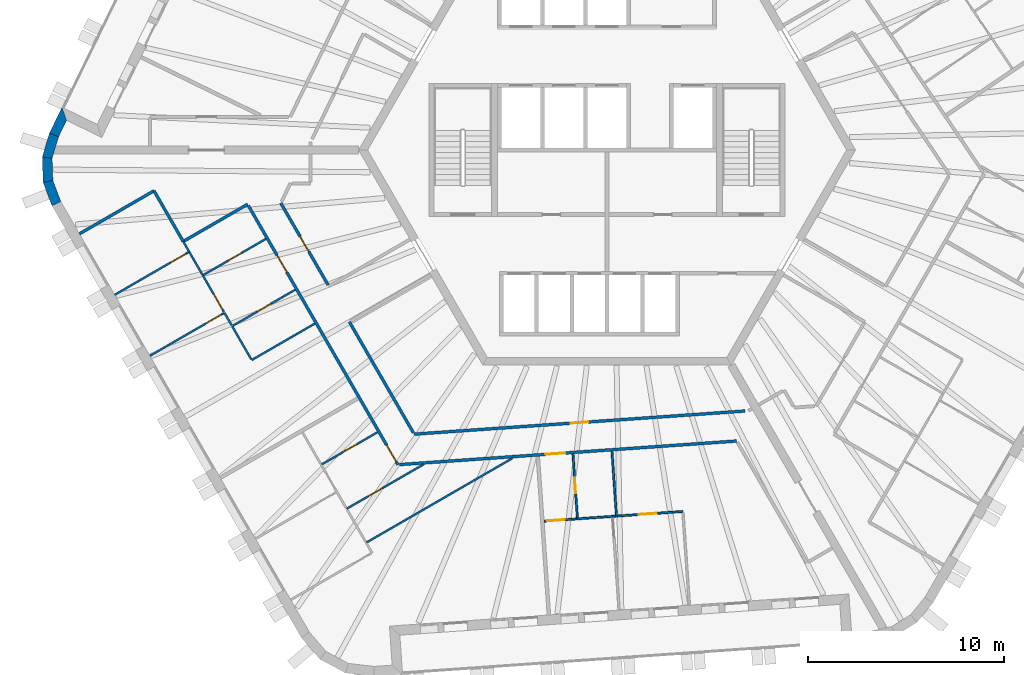
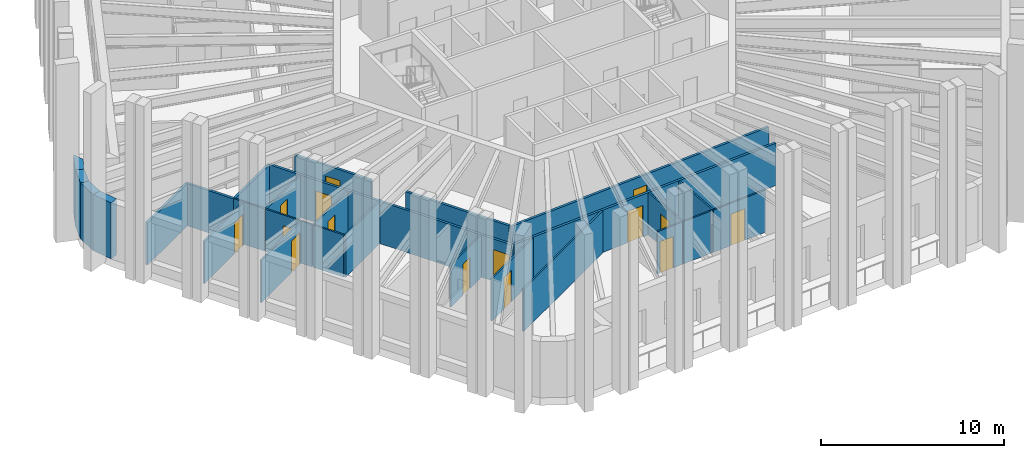
# One storey, part 4 of 13: 31 walls, 15 doors, 15 openings.
"""IFC4 building model written with IfcOpenShell, lengths in metres."""

from ifc_helpers import new_model, si_unit, direction, frame, frame_2d, origin, place, context, subcontext, project, spatial, polyline, rectangle, outline, extrude, material, layer, layer_set, type_object, element, fill, save


model = new_model("IFC4")

# Units and contexts
model_context = context("Model", 3, precision=1e-05, world=origin(), true_north=direction((0.0, 1.0)))
body_context = subcontext(model_context, "Body", "Model", "MODEL_VIEW")
ifc_project = project(units=[si_unit("LENGTHUNIT", "METRE"), si_unit("AREAUNIT", "SQUARE_METRE"), si_unit("VOLUMEUNIT", "CUBIC_METRE"), si_unit("PLANEANGLEUNIT", "RADIAN"), si_unit("MASSUNIT", "GRAM", prefix="KILO")], contexts=[model_context])

# Site, building, storey
site_placement = place(None, origin())
site = spatial("IfcSite", under=ifc_project, at=site_placement, CompositionType="ELEMENT")
building_placement = place(site_placement, origin())
building = spatial("IfcBuilding", under=site, at=building_placement, Name="Tarnside Tower", CompositionType="ELEMENT")
storey_placement = place(building_placement, frame((0.0, 0.0, 256.199951171875)))
storey = spatial("IfcBuildingStorey", under=building, at=storey_placement, Name="L61", CompositionType="ELEMENT", Elevation=256.199951171875)

# Walls
ifc_material_1 = material(Name="Gypsum board partition on steel studs", Category="steel")
ifc_layer_1 = layer(ifc_material_1, 0.10009765625)
ifc_layer_set_1 = layer_set([ifc_layer_1], Name="Bathroom wall 100")
wall_type_1 = type_object("IfcWallType", Name="Bathroom wall 100", PredefinedType="PARTITIONING", material=ifc_layer_set_1)
wall_1_placement = place(storey_placement, frame((-14.940185546875, -8.872802734375, 0.0), z_axis=(0.0, 0.0, 1.0), x_axis=(-0.866056803351, -0.499945610411, 0.0)))
element("IfcWall", 1, at=wall_1_placement, inside=storey, type_object=wall_type_1, Name="Bathroom wall 20109", PredefinedType="PARTITIONING", context=body_context, shape_type="SweptSolid", body=[
    extrude(rectangle(XDim=3.72509765625, YDim=0.10009765625, at=frame_2d((1.862548828125, 0.0))), origin(), (0.0, 0.0, 1.0), 2.823486328125),
])
wall_2_placement = place(storey_placement, frame((-18.191162109375, -10.69189453125, 0.0), z_axis=(0.0, 0.0, 1.0), x_axis=(-0.500043961785, 0.866000020948, 0.0)))
element("IfcWall", 2, at=wall_2_placement, inside=storey, type_object=wall_type_1, Name="Bathroom wall 20110", PredefinedType="PARTITIONING", context=body_context, shape_type="SweptSolid", body=[
    extrude(rectangle(XDim=1.949951171875, YDim=0.10009765625, at=frame_2d((0.97509765625, 0.0))), origin(), (0.0, 0.0, 1.0), 2.823486328125),
])

# Wall, opening, door
wall_3_placement = place(storey_placement, frame((-17.440185546875, -4.54248046875, 0.0), z_axis=(0.0, 0.0, 1.0), x_axis=(-0.866028424924, -0.499994767197, 0.0)))
wall_3 = element("IfcWall", 3, at=wall_3_placement, inside=storey, type_object=wall_type_1, Name="Bathroom wall 20113", PredefinedType="PARTITIONING", context=body_context, shape_type="SweptSolid", body=[
    extrude(rectangle(XDim=3.72509765625, YDim=0.10009765625, at=frame_2d((1.862548828125, 0.0))), origin(), (0.0, 0.0, 1.0), 2.823486328125),
])
opening_1_placement = place(wall_3_placement, frame((1.425048828125, 0.0, 0.0)))
opening_1 = element("IfcOpeningElement", 4, at=opening_1_placement, cuts=wall_3, Name="Opening D-B1", PredefinedType="OPENING", context=body_context, shape_type="SweptSolid", body=[
    extrude(rectangle(XDim=0.800048828125, YDim=2.10009765625, at=frame_2d((0.39990234375, 1.050048828125))), frame((0.0, 0.06005859375, 0.0), z_axis=(0.0, -1.0, 0.0), x_axis=(1.0, 0.0, 0.0)), (0.0, 0.0, 1.0), 0.1201171875),
])
ifc_material_2 = material(Name="Timber door leaf", Category="wood")
door_type_1 = type_object("IfcDoorType", Name="Bathroom door 800", OperationType="NOTDEFINED", PredefinedType="DOOR", material=ifc_material_2)
door_1_placement = place(opening_1_placement, origin())
door_1 = element("IfcDoor", 5, at=door_1_placement, inside=storey, type_object=door_type_1, Name="Bathroom door 20022", OperationType="SINGLE_SWING_RIGHT", OverallHeight=2.10009765625, OverallWidth=0.800048828125, PredefinedType="DOOR", context=body_context, shape_type="SweptSolid", body=[
    extrude(rectangle(XDim=0.800048828125, YDim=2.10009765625, at=frame_2d((0.39990234375, 1.050048828125))), frame((0.0, 0.02490234375, 0.0), z_axis=(0.0, -1.0, 0.0), x_axis=(1.0, 0.0, 0.0)), (0.0, 0.0, 1.0), 0.050048828125),
])
fill(opening_1, door_1)

wall_4_placement = place(storey_placement, frame((-19.122802734375, -8.978271484375, 0.0), z_axis=(0.0, 0.0, 1.0), x_axis=(0.866006363297, 0.500032977642, 0.0)))
wall_4 = element("IfcWall", 6, at=wall_4_placement, inside=storey, type_object=wall_type_1, Name="Bathroom wall 20115", PredefinedType="PARTITIONING", context=body_context, shape_type="SweptSolid", body=[
    extrude(rectangle(XDim=3.675048828125, YDim=0.10009765625, at=frame_2d((1.83740234375, 0.0))), origin(), (0.0, 0.0, 1.0), 2.823486328125),
])
opening_2_placement = place(wall_4_placement, frame((1.449951171875, 0.0, 0.0)))
opening_2 = element("IfcOpeningElement", 7, at=opening_2_placement, cuts=wall_4, Name="Opening D-B1", PredefinedType="OPENING", context=body_context, shape_type="SweptSolid", body=[
    extrude(rectangle(XDim=0.800048828125, YDim=2.10009765625, at=frame_2d((0.39990234375, 1.050048828125))), frame((0.0, 0.06005859375, 0.0), z_axis=(0.0, -1.0, 0.0), x_axis=(1.0, 0.0, 0.0)), (0.0, 0.0, 1.0), 0.1201171875),
])
door_2_placement = place(opening_2_placement, origin())
door_2 = element("IfcDoor", 8, at=door_2_placement, inside=storey, type_object=door_type_1, Name="Bathroom door 20031", OperationType="SINGLE_SWING_LEFT", OverallHeight=2.10009765625, OverallWidth=0.800048828125, PredefinedType="DOOR", context=body_context, shape_type="SweptSolid", body=[
    extrude(rectangle(XDim=0.800048828125, YDim=2.10009765625, at=frame_2d((0.39990234375, 1.050048828125))), frame((0.0, 0.02490234375, 0.0), z_axis=(0.0, -1.0, 0.0), x_axis=(1.0, 0.0, 0.0)), (0.0, 0.0, 1.0), 0.050048828125),
])
fill(opening_2, door_2)

# Walls
wall_5_placement = place(storey_placement, frame((-21.667236328125, -4.67138671875, 0.0), z_axis=(0.0, 0.0, 1.0), x_axis=(0.499952348839, -0.866052913447, 0.0)))
element("IfcWall", 9, at=wall_5_placement, inside=storey, type_object=wall_type_1, Name="Bathroom wall 20116", PredefinedType="PARTITIONING", context=body_context, shape_type="SweptSolid", body=[
    extrude(rectangle(XDim=0.61279296875, YDim=0.10009765625, at=frame_2d((0.306396484375, 0.0))), origin(), (0.0, 0.0, 1.0), 2.823486328125),
])
wall_6_placement = place(storey_placement, frame((-21.36083984375, -5.2021484375, 0.0), z_axis=(0.0, 0.0, 1.0), x_axis=(0.500074377092, -0.865982457891, 0.0)))
element("IfcWall", 10, at=wall_6_placement, inside=storey, type_object=wall_type_1, Name="Bathroom wall 20117", PredefinedType="PARTITIONING", context=body_context, shape_type="SweptSolid", body=[
    extrude(rectangle(XDim=1.341064453125, YDim=0.10009765625, at=frame_2d((0.67041015625, 0.0))), origin(), (0.0, 0.0, 1.0), 2.823486328125),
])
wall_7_placement = place(storey_placement, frame((-4.830810546875, -15.750244140625, 0.0), z_axis=(0.0, 0.0, 1.0), x_axis=(-0.866012441049, -0.500022451445, 0.0)))
element("IfcWall", 11, at=wall_7_placement, inside=storey, type_object=wall_type_1, Name="Bathroom wall 20121", PredefinedType="PARTITIONING", context=body_context, shape_type="SweptSolid", body=[
    extrude(rectangle(XDim=8.64111328125, YDim=0.10009765625, at=frame_2d((4.320556640625, 0.0))), origin(), (0.0, 0.0, 1.0), 2.823486328125),
])

# Wall, opening, door
wall_8_placement = place(storey_placement, frame((-11.73486328125, -14.4248046875, 0.0), z_axis=(0.0, 0.0, 1.0), x_axis=(-0.866033959199, -0.499985181294, 0.0)))
wall_8 = element("IfcWall", 12, at=wall_8_placement, inside=storey, type_object=wall_type_1, Name="Bathroom wall 20124", PredefinedType="PARTITIONING", context=body_context, shape_type="SweptSolid", body=[
    extrude(rectangle(XDim=3.32470703125, YDim=0.10009765625, at=frame_2d((1.662353515625, 0.0))), origin(), (0.0, 0.0, 1.0), 2.823486328125),
])
opening_3_placement = place(wall_8_placement, frame((1.22509765625, 0.0, 0.0)))
opening_3 = element("IfcOpeningElement", 13, at=opening_3_placement, cuts=wall_8, Name="Opening D-B1", PredefinedType="OPENING", context=body_context, shape_type="SweptSolid", body=[
    extrude(rectangle(XDim=0.800048828125, YDim=2.10009765625, at=frame_2d((0.39990234375, 1.050048828125))), frame((0.0, 0.06005859375, 0.0), z_axis=(0.0, -1.0, 0.0), x_axis=(1.0, 0.0, 0.0)), (0.0, 0.0, 1.0), 0.1201171875),
])
door_3_placement = place(opening_3_placement, origin())
door_3 = element("IfcDoor", 14, at=door_3_placement, inside=storey, type_object=door_type_1, Name="Bathroom door 20033", OperationType="SINGLE_SWING_RIGHT", OverallHeight=2.10009765625, OverallWidth=0.800048828125, PredefinedType="DOOR", context=body_context, shape_type="SweptSolid", body=[
    extrude(rectangle(XDim=0.800048828125, YDim=2.10009765625, at=frame_2d((0.39990234375, 1.050048828125))), frame((0.0, 0.02490234375, 0.0), z_axis=(0.0, -1.0, 0.0), x_axis=(1.0, 0.0, 0.0)), (0.0, 0.0, 1.0), 0.050048828125),
])
fill(opening_3, door_3)

wall_9_placement = place(storey_placement, frame((-13.314208984375, -18.3388671875, 0.0), z_axis=(0.0, 0.0, 1.0), x_axis=(0.866020827114, 0.500007926942, 0.0)))
wall_9 = element("IfcWall", 15, at=wall_9_placement, inside=storey, type_object=wall_type_1, Name="Bathroom wall 20127", PredefinedType="PARTITIONING", context=body_context, shape_type="SweptSolid", body=[
    extrude(rectangle(XDim=4.54052734375, YDim=0.10009765625, at=frame_2d((2.270263671875, 0.0))), origin(), (0.0, 0.0, 1.0), 2.823486328125),
])
opening_4_placement = place(wall_9_placement, frame((1.300048828125, 0.0, 0.0)))
opening_4 = element("IfcOpeningElement", 16, at=opening_4_placement, cuts=wall_9, Name="Opening D-B1", PredefinedType="OPENING", context=body_context, shape_type="SweptSolid", body=[
    extrude(rectangle(XDim=0.800048828125, YDim=2.10009765625, at=frame_2d((0.39990234375, 1.050048828125))), frame((0.0, 0.06005859375, 0.0), z_axis=(0.0, -1.0, 0.0), x_axis=(1.0, 0.0, 0.0)), (0.0, 0.0, 1.0), 0.1201171875),
])
door_4_placement = place(opening_4_placement, origin())
door_4 = element("IfcDoor", 17, at=door_4_placement, inside=storey, type_object=door_type_1, Name="Bathroom door 20041", OperationType="SINGLE_SWING_RIGHT", OverallHeight=2.10009765625, OverallWidth=0.800048828125, PredefinedType="DOOR", context=body_context, shape_type="SweptSolid", body=[
    extrude(rectangle(XDim=0.800048828125, YDim=2.10009765625, at=frame_2d((0.39990234375, 1.050048828125))), frame((0.0, 0.02490234375, 0.0), z_axis=(0.0, -1.0, 0.0), x_axis=(1.0, 0.0, 0.0)), (0.0, 0.0, 1.0), 0.050048828125),
])
fill(opening_4, door_4)

# Wall
wall_10_placement = place(storey_placement, frame((0.249755859375, -15.39501953125, 0.0), z_axis=(0.0, 0.0, 1.0), x_axis=(0.069754598287, -0.997564181403, 0.0)))
element("IfcWall", 18, at=wall_10_placement, inside=storey, type_object=wall_type_1, Name="Bathroom wall 20131", PredefinedType="PARTITIONING", context=body_context, shape_type="SweptSolid", body=[
    extrude(rectangle(XDim=3.324951171875, YDim=0.10009765625, at=frame_2d((1.66259765625, 0.0))), origin(), (0.0, 0.0, 1.0), 2.823486328125),
])

# Wall, opening, door
wall_11_placement = place(storey_placement, frame((-1.513427734375, -18.8515625, 0.0), z_axis=(0.0, 0.0, 1.0), x_axis=(-0.069754598287, 0.997564181403, 0.0)))
wall_11 = element("IfcWall", 19, at=wall_11_placement, inside=storey, type_object=wall_type_1, Name="Bathroom wall 20134", PredefinedType="PARTITIONING", context=body_context, shape_type="SweptSolid", body=[
    extrude(rectangle(XDim=3.324951171875, YDim=0.10009765625, at=frame_2d((1.66259765625, 0.0))), origin(), (0.0, 0.0, 1.0), 2.823486328125),
])
opening_5_placement = place(wall_11_placement, frame((1.300048828125, 0.0, 0.0)))
opening_5 = element("IfcOpeningElement", 20, at=opening_5_placement, cuts=wall_11, Name="Opening D-B1", PredefinedType="OPENING", context=body_context, shape_type="SweptSolid", body=[
    extrude(rectangle(XDim=0.800048828125, YDim=2.10009765625, at=frame_2d((0.39990234375, 1.050048828125))), frame((0.0, 0.06005859375, 0.0), z_axis=(0.0, -1.0, 0.0), x_axis=(1.0, 0.0, 0.0)), (0.0, 0.0, 1.0), 0.1201171875),
])
door_5_placement = place(opening_5_placement, origin())
door_5 = element("IfcDoor", 21, at=door_5_placement, inside=storey, type_object=door_type_1, Name="Bathroom door 20043", OperationType="SINGLE_SWING_LEFT", OverallHeight=2.10009765625, OverallWidth=0.800048828125, PredefinedType="DOOR", context=body_context, shape_type="SweptSolid", body=[
    extrude(rectangle(XDim=0.800048828125, YDim=2.10009765625, at=frame_2d((0.39990234375, 1.050048828125))), frame((0.0, 0.02490234375, 0.0), z_axis=(0.0, -1.0, 0.0), x_axis=(1.0, 0.0, 0.0)), (0.0, 0.0, 1.0), 0.050048828125),
])
fill(opening_5, door_5)

# Walls
wall_12_placement = place(storey_placement, frame((-1.515380859375, -18.8515625, 0.0), z_axis=(0.0, 0.0, 1.0), x_axis=(0.997562835018, 0.069773850337, 0.0)))
element("IfcWall", 22, at=wall_12_placement, inside=storey, type_object=wall_type_1, Name="Bathroom wall 20136", PredefinedType="PARTITIONING", context=body_context, shape_type="SweptSolid", body=[
    extrude(rectangle(XDim=1.802001953125, YDim=0.10009765625, at=frame_2d((0.90087890625, 0.0))), origin(), (0.0, 0.0, 1.0), 2.823486328125),
])
wall_13_placement = place(storey_placement, frame((0.2822265625, -18.725830078125, 0.0), z_axis=(0.0, 0.0, 1.0), x_axis=(0.997611278984, 0.069077753617, 0.0)))
element("IfcWall", 23, at=wall_13_placement, inside=storey, type_object=wall_type_1, Name="Bathroom wall 20137", PredefinedType="PARTITIONING", context=body_context, shape_type="SweptSolid", body=[
    extrude(rectangle(XDim=0.15185546875, YDim=0.10009765625, at=frame_2d((0.075927734375, 0.0))), origin(), (0.0, 0.0, 1.0), 2.823486328125),
])

# Wall, openings, doors
ifc_layer_2 = layer(ifc_material_1, 0.14990234375)
ifc_layer_set_2 = layer_set([ifc_layer_2], Name="Corridor wall 150 EI 60")
wall_type_2 = type_object("IfcWallType", Name="Corridor wall 150 EI 60", PredefinedType="PARTITIONING", material=ifc_layer_set_2)
wall_14_placement = place(storey_placement, frame((-18.337890625, -2.837890625, 0.0), z_axis=(0.0, 0.0, 1.0), x_axis=(0.499999693481, -0.866025580753, 0.0)))
wall_14 = element("IfcWall", 24, at=wall_14_placement, inside=storey, type_object=wall_type_2, Name="Corridor wall 20026", PredefinedType="PARTITIONING", context=body_context, shape_type="SweptSolid", body=[
    extrude(rectangle(XDim=15.29638671875, YDim=0.14990234375, at=frame_2d((7.648193359375, 0.0))), origin(), (0.0, 0.0, 1.0), 2.823486328125),
])
opening_6_placement = place(wall_14_placement, frame((2.925048828125, 0.0, 0.0)))
opening_6 = element("IfcOpeningElement", 25, at=opening_6_placement, cuts=wall_14, Name="Opening D-E1", PredefinedType="OPENING", context=body_context, shape_type="SweptSolid", body=[
    extrude(rectangle(XDim=1.0, YDim=2.10009765625, at=frame_2d((0.5, 1.050048828125))), frame((0.0, 0.0849609375, 0.0), z_axis=(0.0, -1.0, 0.0), x_axis=(1.0, 0.0, 0.0)), (0.0, 0.0, 1.0), 0.169921875),
])
opening_7_placement = place(wall_14_placement, frame((14.135986328125, 0.0, 0.0)))
opening_7 = element("IfcOpeningElement", 26, at=opening_7_placement, cuts=wall_14, Name="Opening D-E1", PredefinedType="OPENING", context=body_context, shape_type="SweptSolid", body=[
    extrude(rectangle(XDim=1.0, YDim=2.10009765625, at=frame_2d((0.5, 1.050048828125))), frame((0.0, 0.0849609375, 0.0), z_axis=(0.0, -1.0, 0.0), x_axis=(1.0, 0.0, 0.0)), (0.0, 0.0, 1.0), 0.169921875),
])
door_type_2 = type_object("IfcDoorType", Name="Unit entrance door 1000 FD30S", OperationType="NOTDEFINED", PredefinedType="DOOR", material=ifc_material_2)
door_6_placement = place(opening_6_placement, origin())
door_6 = element("IfcDoor", 27, at=door_6_placement, inside=storey, type_object=door_type_2, Name="Unit door 20021", OperationType="SINGLE_SWING_RIGHT", OverallHeight=2.10009765625, OverallWidth=1.0, PredefinedType="DOOR", context=body_context, shape_type="SweptSolid", body=[
    extrude(rectangle(XDim=1.0, YDim=2.10009765625, at=frame_2d((0.5, 1.050048828125))), frame((0.0, 0.02490234375, 0.0), z_axis=(0.0, -1.0, 0.0), x_axis=(1.0, 0.0, 0.0)), (0.0, 0.0, 1.0), 0.050048828125),
])
fill(opening_6, door_6)
door_7_placement = place(opening_7_placement, origin())
door_7 = element("IfcDoor", 28, at=door_7_placement, inside=storey, type_object=door_type_2, Name="Unit door 20032", OperationType="SINGLE_SWING_LEFT", OverallHeight=2.10009765625, OverallWidth=1.0, PredefinedType="DOOR", context=body_context, shape_type="SweptSolid", body=[
    extrude(rectangle(XDim=1.0, YDim=2.10009765625, at=frame_2d((0.5, 1.050048828125))), frame((0.0, 0.02490234375, 0.0), z_axis=(0.0, -1.0, 0.0), x_axis=(1.0, 0.0, 0.0)), (0.0, 0.0, 1.0), 0.050048828125),
])
fill(opening_7, door_7)

# Walls
wall_15_placement = place(storey_placement, frame((-21.666259765625, -4.673095703125, 0.0), z_axis=(0.0, 0.0, 1.0), x_axis=(0.86601654697, 0.500015340139, 0.0)))
element("IfcWall", 29, at=wall_15_placement, inside=storey, type_object=wall_type_2, Name="Corridor wall 20028", PredefinedType="PARTITIONING", context=body_context, shape_type="SweptSolid", body=[
    extrude(rectangle(XDim=3.80029296875, YDim=0.14990234375, at=frame_2d((1.900146484375, 0.0))), origin(), (0.0, 0.0, 1.0), 2.823486328125),
])
wall_16_placement = place(storey_placement, frame((-26.97119140625, -4.284423828125, 0.0), z_axis=(0.0, 0.0, 1.0), x_axis=(0.866010893236, 0.500025132165, 0.0)))
element("IfcWall", 30, at=wall_16_placement, inside=storey, type_object=wall_type_2, Name="Corridor wall 20030", PredefinedType="PARTITIONING", context=body_context, shape_type="SweptSolid", body=[
    extrude(rectangle(XDim=4.398681640625, YDim=0.14990234375, at=frame_2d((2.19921875, 0.0))), origin(), (0.0, 0.0, 1.0), 2.823486328125),
])
wall_17_placement = place(storey_placement, frame((-23.16015625, -2.08544921875, 0.0), z_axis=(0.0, 0.0, 1.0), x_axis=(0.499983857782, -0.866034723298, 0.0)))
element("IfcWall", 31, at=wall_17_placement, inside=storey, type_object=wall_type_2, Name="Corridor wall 20031", PredefinedType="PARTITIONING", context=body_context, shape_type="SweptSolid", body=[
    extrude(rectangle(XDim=2.9912109375, YDim=0.14990234375, at=frame_2d((1.49560546875, 0.0))), origin(), (0.0, 0.0, 1.0), 2.823486328125),
])

# Wall, opening, door
wall_18_placement = place(storey_placement, frame((-10.6064453125, -16.0791015625, 0.0), z_axis=(0.0, 0.0, 1.0), x_axis=(0.997563356349, 0.069766396426, 0.0)))
wall_18 = element("IfcWall", 32, at=wall_18_placement, inside=storey, type_object=wall_type_2, Name="Corridor wall 20033", PredefinedType="PARTITIONING", context=body_context, shape_type="SweptSolid", body=[
    extrude(rectangle(XDim=17.27294921875, YDim=0.14990234375, at=frame_2d((8.636474609375, 0.0))), origin(), (0.0, 0.0, 1.0), 2.823486328125),
])
opening_8_placement = place(wall_18_placement, frame((7.4775390625, 0.0, 0.0)))
opening_8 = element("IfcOpeningElement", 33, at=opening_8_placement, cuts=wall_18, Name="Opening D-E1", PredefinedType="OPENING", context=body_context, shape_type="SweptSolid", body=[
    extrude(rectangle(XDim=1.0, YDim=2.10009765625, at=frame_2d((0.5, 1.050048828125))), frame((0.0, 0.0849609375, 0.0), z_axis=(0.0, -1.0, 0.0), x_axis=(1.0, 0.0, 0.0)), (0.0, 0.0, 1.0), 0.169921875),
])
door_8_placement = place(opening_8_placement, origin())
door_8 = element("IfcDoor", 34, at=door_8_placement, inside=storey, type_object=door_type_2, Name="Unit door 20042", OperationType="SINGLE_SWING_RIGHT", OverallHeight=2.10009765625, OverallWidth=1.0, PredefinedType="DOOR", context=body_context, shape_type="SweptSolid", body=[
    extrude(rectangle(XDim=1.0, YDim=2.10009765625, at=frame_2d((0.5, 1.050048828125))), frame((0.0, 0.02490234375, 0.0), z_axis=(0.0, -1.0, 0.0), x_axis=(1.0, 0.0, 0.0)), (0.0, 0.0, 1.0), 0.050048828125),
])
fill(opening_8, door_8)

wall_19_placement = place(storey_placement, frame((-14.26025390625, -6.900634765625, 0.0), z_axis=(0.0, 0.0, 1.0), x_axis=(-0.499978899972, 0.866037585549, 0.0)))
wall_19 = element("IfcWall", 35, at=wall_19_placement, inside=storey, type_object=wall_type_2, Name="Corridor wall 20044", PredefinedType="PARTITIONING", context=body_context, shape_type="SweptSolid", body=[
    extrude(rectangle(XDim=4.834716796875, YDim=0.14990234375, at=frame_2d((2.41748046875, 0.0))), origin(), (0.0, 0.0, 1.0), 2.823486328125),
])
opening_9_placement = place(wall_19_placement, frame((1.96728515625, 0.0, 0.0)))
opening_9 = element("IfcOpeningElement", 36, at=opening_9_placement, cuts=wall_19, Name="Opening D-S1", PredefinedType="OPENING", context=body_context, shape_type="SweptSolid", body=[
    extrude(rectangle(XDim=0.89990234375, YDim=2.10009765625, at=frame_2d((0.449951171875, 1.050048828125))), frame((0.0, 0.0849609375, 0.0), z_axis=(0.0, -1.0, 0.0), x_axis=(1.0, 0.0, 0.0)), (0.0, 0.0, 1.0), 0.169921875),
])
door_type_3 = type_object("IfcDoorType", Name="Service room door 900 FD30S", OperationType="NOTDEFINED", PredefinedType="DOOR", material=ifc_material_2)
door_9_placement = place(opening_9_placement, origin())
door_9 = element("IfcDoor", 37, at=door_9_placement, inside=storey, type_object=door_type_3, Name="Service door 20073", OperationType="SINGLE_SWING_RIGHT", OverallHeight=2.10009765625, OverallWidth=0.89990234375, PredefinedType="DOOR", context=body_context, shape_type="SweptSolid", body=[
    extrude(rectangle(XDim=0.89990234375, YDim=2.10009765625, at=frame_2d((0.449951171875, 1.050048828125))), frame((0.0, 0.02490234375, 0.0), z_axis=(0.0, -1.0, 0.0), x_axis=(1.0, 0.0, 0.0)), (0.0, 0.0, 1.0), 0.050048828125),
])
fill(opening_9, door_9)

wall_20_placement = place(storey_placement, frame((7.05126953125, -13.340576171875, 0.0), z_axis=(0.0, 0.0, 1.0), x_axis=(-0.997563599815, -0.069762915103, 0.0)))
wall_20 = element("IfcWall", 38, at=wall_20_placement, inside=storey, type_object=wall_type_2, Name="Corridor wall 20049", PredefinedType="PARTITIONING", context=body_context, shape_type="SweptSolid", body=[
    extrude(rectangle(XDim=16.951904296875, YDim=0.14990234375, at=frame_2d((8.47607421875, 0.0))), origin(), (0.0, 0.0, 1.0), 2.823486328125),
])
opening_10_placement = place(wall_20_placement, frame((8.02587890625, 0.0, 0.0)))
opening_10 = element("IfcOpeningElement", 39, at=opening_10_placement, cuts=wall_20, Name="Opening D-S1", PredefinedType="OPENING", context=body_context, shape_type="SweptSolid", body=[
    extrude(rectangle(XDim=0.89990234375, YDim=2.10009765625, at=frame_2d((0.449951171875, 1.050048828125))), frame((0.0, 0.0849609375, 0.0), z_axis=(0.0, -1.0, 0.0), x_axis=(1.0, 0.0, 0.0)), (0.0, 0.0, 1.0), 0.169921875),
])
door_10_placement = place(opening_10_placement, origin())
door_10 = element("IfcDoor", 40, at=door_10_placement, inside=storey, type_object=door_type_3, Name="Service door 20074", OperationType="SINGLE_SWING_LEFT", OverallHeight=2.10009765625, OverallWidth=0.89990234375, PredefinedType="DOOR", context=body_context, shape_type="SweptSolid", body=[
    extrude(rectangle(XDim=0.89990234375, YDim=2.10009765625, at=frame_2d((0.449951171875, 1.050048828125))), frame((0.0, 0.02490234375, 0.0), z_axis=(0.0, -1.0, 0.0), x_axis=(1.0, 0.0, 0.0)), (0.0, 0.0, 1.0), 0.050048828125),
])
fill(opening_10, door_10)

# Walls
wall_21_placement = place(storey_placement, frame((-9.901123046875, -14.450927734375, 0.0), z_axis=(0.0, 0.0, 1.0), x_axis=(-0.49999161165, 0.866030246746, 0.0)))
element("IfcWall", 41, at=wall_21_placement, inside=storey, type_object=wall_type_2, Name="Corridor wall 20050", PredefinedType="PARTITIONING", context=body_context, shape_type="SweptSolid", body=[
    extrude(rectangle(XDim=6.54296875, YDim=0.14990234375, at=frame_2d((3.271484375, 0.0))), origin(), (0.0, 0.0, 1.0), 2.823486328125),
])
ifc_material_3 = material(Name="Dark zinc cladding")
ifc_layer_3 = layer(ifc_material_3, 0.10205078125)
ifc_material_4 = material(Name="Concrete C60/75 precast", Category="concrete")
ifc_layer_4 = layer(ifc_material_4, 0.298095703125)
ifc_material_5 = material(Name="Mineral wool insulation")
ifc_layer_5 = layer(ifc_material_5, 0.10009765625)
ifc_layer_set_3 = layer_set([ifc_layer_3, ifc_layer_4, ifc_layer_5], Name="Loggia wall 500 zinc faced")
wall_type_3 = type_object("IfcWallType", Name="Loggia wall 500 zinc faced", PredefinedType="SOLIDWALL", material=ifc_layer_set_3)
wall_22_placement = place(storey_placement, frame((-27.745849609375, 1.852783203125, 0.0), z_axis=(0.0, 0.0, 1.0), x_axis=(-0.438319390103, -0.898819287877, 0.0)))
element("IfcWall", 42, at=wall_22_placement, inside=storey, type_object=wall_type_3, Name="Tube wall L61 F2 stub 08", PredefinedType="SOLIDWALL", context=body_context, shape_type="SweptSolid", body=[
    extrude(outline(polyline([(-0.25, -0.25), (1.22021484375, -0.25), (1.17919921875, 0.25), (0.25, 0.25), (-0.25, -0.25)])), origin(), (0.0, 0.0, 1.0), 3.75),
])
ifc_layer_6 = layer(ifc_material_1, 0.10009765625)
ifc_layer_set_4 = layer_set([ifc_layer_6], Name="Partition 100")
wall_type_4 = type_object("IfcWallType", Name="Partition 100", PredefinedType="PARTITIONING", material=ifc_layer_set_4)
wall_23_placement = place(storey_placement, frame((-19.191162109375, -8.9599609375, 0.0), z_axis=(0.0, 0.0, 1.0), x_axis=(-0.500036104519, 0.866004557827, 0.0)))
element("IfcWall", 43, at=wall_23_placement, inside=storey, type_object=wall_type_4, Name="Partition wall 20107", PredefinedType="PARTITIONING", context=body_context, shape_type="SweptSolid", body=[
    extrude(rectangle(XDim=0.7412109375, YDim=0.10009765625, at=frame_2d((0.37060546875, 0.0))), origin(), (0.0, 0.0, 1.0), 2.823486328125),
])

# Wall, opening, door
wall_24_placement = place(storey_placement, frame((-19.60400390625, -8.3447265625, 0.0), z_axis=(0.0, 0.0, 1.0), x_axis=(-0.866027639635, -0.499996127374, 0.0)))
wall_24 = element("IfcWall", 44, at=wall_24_placement, inside=storey, type_object=wall_type_4, Name="Partition wall 20108", PredefinedType="PARTITIONING", context=body_context, shape_type="SweptSolid", body=[
    extrude(rectangle(XDim=4.35009765625, YDim=0.10009765625, at=frame_2d((2.175048828125, 0.0))), origin(), (0.0, 0.0, 1.0), 2.823486328125),
])
opening_11_placement = place(wall_24_placement, frame((0.14990234375, 0.0, 0.0)))
opening_11 = element("IfcOpeningElement", 45, at=opening_11_placement, cuts=wall_24, Name="Opening D-I1", PredefinedType="OPENING", context=body_context, shape_type="SweptSolid", body=[
    extrude(rectangle(XDim=0.89990234375, YDim=2.10009765625, at=frame_2d((0.449951171875, 1.050048828125))), frame((0.0, 0.06005859375, 0.0), z_axis=(0.0, -1.0, 0.0), x_axis=(1.0, 0.0, 0.0)), (0.0, 0.0, 1.0), 0.1201171875),
])
door_type_4 = type_object("IfcDoorType", Name="Internal door 900", OperationType="NOTDEFINED", PredefinedType="DOOR", material=ifc_material_2)
door_11_placement = place(opening_11_placement, origin())
door_11 = element("IfcDoor", 46, at=door_11_placement, inside=storey, type_object=door_type_4, Name="Internal door 20030", OperationType="SINGLE_SWING_RIGHT", OverallHeight=2.10009765625, OverallWidth=0.89990234375, PredefinedType="DOOR", context=body_context, shape_type="SweptSolid", body=[
    extrude(rectangle(XDim=0.89990234375, YDim=2.10009765625, at=frame_2d((0.449951171875, 1.050048828125))), frame((0.0, 0.02490234375, 0.0), z_axis=(0.0, -1.0, 0.0), x_axis=(1.0, 0.0, 0.0)), (0.0, 0.0, 1.0), 0.050048828125),
])
fill(opening_11, door_11)

wall_25_placement = place(storey_placement, frame((-20.667236328125, -6.4033203125, 0.0), z_axis=(0.0, 0.0, 1.0), x_axis=(0.499999270699, -0.866025824846, 0.0)))
wall_25 = element("IfcWall", 47, at=wall_25_placement, inside=storey, type_object=wall_type_4, Name="Partition wall 20114", PredefinedType="PARTITIONING", context=body_context, shape_type="SweptSolid", body=[
    extrude(rectangle(XDim=2.1630859375, YDim=0.10009765625, at=frame_2d((1.08154296875, 0.0))), origin(), (0.0, 0.0, 1.0), 2.823486328125),
])
opening_12_placement = place(wall_25_placement, frame((1.113037109375, 0.0, 0.0)))
opening_12 = element("IfcOpeningElement", 48, at=opening_12_placement, cuts=wall_25, Name="Opening D-I1", PredefinedType="OPENING", context=body_context, shape_type="SweptSolid", body=[
    extrude(rectangle(XDim=0.89990234375, YDim=2.10009765625, at=frame_2d((0.449951171875, 1.050048828125))), frame((0.0, 0.06005859375, 0.0), z_axis=(0.0, -1.0, 0.0), x_axis=(1.0, 0.0, 0.0)), (0.0, 0.0, 1.0), 0.1201171875),
])
door_12_placement = place(opening_12_placement, origin())
door_12 = element("IfcDoor", 49, at=door_12_placement, inside=storey, type_object=door_type_4, Name="Internal door 20025", OperationType="SINGLE_SWING_RIGHT", OverallHeight=2.10009765625, OverallWidth=0.89990234375, PredefinedType="DOOR", context=body_context, shape_type="SweptSolid", body=[
    extrude(rectangle(XDim=0.89990234375, YDim=2.10009765625, at=frame_2d((0.449951171875, 1.050048828125))), frame((0.0, 0.02490234375, 0.0), z_axis=(0.0, -1.0, 0.0), x_axis=(1.0, 0.0, 0.0)), (0.0, 0.0, 1.0), 0.050048828125),
])
fill(opening_12, door_12)

wall_26_placement = place(storey_placement, frame((-25.171142578125, -7.402099609375, 0.0), z_axis=(0.0, 0.0, 1.0), x_axis=(0.866013608182, 0.500020430026, 0.0)))
wall_26 = element("IfcWall", 50, at=wall_26_placement, inside=storey, type_object=wall_type_4, Name="Partition wall 20118", PredefinedType="PARTITIONING", context=body_context, shape_type="SweptSolid", body=[
    extrude(rectangle(XDim=4.349853515625, YDim=0.10009765625, at=frame_2d((2.1748046875, 0.0))), origin(), (0.0, 0.0, 1.0), 2.823486328125),
])
opening_13_placement = place(wall_26_placement, frame((3.300048828125, 0.0, 0.0)))
opening_13 = element("IfcOpeningElement", 51, at=opening_13_placement, cuts=wall_26, Name="Opening D-I1", PredefinedType="OPENING", context=body_context, shape_type="SweptSolid", body=[
    extrude(rectangle(XDim=0.89990234375, YDim=2.10009765625, at=frame_2d((0.449951171875, 1.050048828125))), frame((0.0, 0.06005859375, 0.0), z_axis=(0.0, -1.0, 0.0), x_axis=(1.0, 0.0, 0.0)), (0.0, 0.0, 1.0), 0.1201171875),
])
door_13_placement = place(opening_13_placement, origin())
door_13 = element("IfcDoor", 52, at=door_13_placement, inside=storey, type_object=door_type_4, Name="Internal door 20028", OperationType="SINGLE_SWING_RIGHT", OverallHeight=2.10009765625, OverallWidth=0.89990234375, PredefinedType="DOOR", context=body_context, shape_type="SweptSolid", body=[
    extrude(rectangle(XDim=0.89990234375, YDim=2.10009765625, at=frame_2d((0.449951171875, 1.050048828125))), frame((0.0, 0.02490234375, 0.0), z_axis=(0.0, -1.0, 0.0), x_axis=(1.0, 0.0, 0.0)), (0.0, 0.0, 1.0), 0.050048828125),
])
fill(opening_13, door_13)

wall_27_placement = place(storey_placement, frame((0.479736328125, -18.712158203125, 0.0), z_axis=(0.0, 0.0, 1.0), x_axis=(0.997564312984, 0.069752716511, 0.0)))
wall_27 = element("IfcWall", 53, at=wall_27_placement, inside=storey, type_object=wall_type_4, Name="Partition wall 20132", PredefinedType="PARTITIONING", context=body_context, shape_type="SweptSolid", body=[
    extrude(rectangle(XDim=3.402099609375, YDim=0.10009765625, at=frame_2d((1.701171875, 0.0))), origin(), (0.0, 0.0, 1.0), 2.823486328125),
])
opening_14_placement = place(wall_27_placement, frame((1.152099609375, 0.0, 0.0)))
opening_14 = element("IfcOpeningElement", 54, at=opening_14_placement, cuts=wall_27, Name="Opening D-I1", PredefinedType="OPENING", context=body_context, shape_type="SweptSolid", body=[
    extrude(rectangle(XDim=0.89990234375, YDim=2.10009765625, at=frame_2d((0.449951171875, 1.050048828125))), frame((0.0, 0.06005859375, 0.0), z_axis=(0.0, -1.0, 0.0), x_axis=(1.0, 0.0, 0.0)), (0.0, 0.0, 1.0), 0.1201171875),
])
door_14_placement = place(opening_14_placement, origin())
door_14 = element("IfcDoor", 55, at=door_14_placement, inside=storey, type_object=door_type_4, Name="Internal door 20049", OperationType="SINGLE_SWING_RIGHT", OverallHeight=2.10009765625, OverallWidth=0.89990234375, PredefinedType="DOOR", context=body_context, shape_type="SweptSolid", body=[
    extrude(rectangle(XDim=0.89990234375, YDim=2.10009765625, at=frame_2d((0.449951171875, 1.050048828125))), frame((0.0, 0.02490234375, 0.0), z_axis=(0.0, -1.0, 0.0), x_axis=(1.0, 0.0, 0.0)), (0.0, 0.0, 1.0), 0.050048828125),
])
fill(opening_14, door_14)

wall_28_placement = place(storey_placement, frame((-3.21923828125, -18.970703125, 0.0), z_axis=(0.0, 0.0, 1.0), x_axis=(0.9975627517, 0.069775041534, 0.0)))
wall_28 = element("IfcWall", 56, at=wall_28_placement, inside=storey, type_object=wall_type_4, Name="Partition wall 20135", PredefinedType="PARTITIONING", context=body_context, shape_type="SweptSolid", body=[
    extrude(rectangle(XDim=1.662109375, YDim=0.10009765625, at=frame_2d((0.8310546875, 0.0))), origin(), (0.0, 0.0, 1.0), 2.823486328125),
])
opening_15_placement = place(wall_28_placement, frame((0.14990234375, 0.0, 0.0)))
opening_15 = element("IfcOpeningElement", 57, at=opening_15_placement, cuts=wall_28, Name="Opening D-I1", PredefinedType="OPENING", context=body_context, shape_type="SweptSolid", body=[
    extrude(rectangle(XDim=0.89990234375, YDim=2.10009765625, at=frame_2d((0.449951171875, 1.050048828125))), frame((0.0, 0.06005859375, 0.0), z_axis=(0.0, -1.0, 0.0), x_axis=(1.0, 0.0, 0.0)), (0.0, 0.0, 1.0), 0.1201171875),
])
door_15_placement = place(opening_15_placement, origin())
door_15 = element("IfcDoor", 58, at=door_15_placement, inside=storey, type_object=door_type_4, Name="Internal door 20045", OperationType="SINGLE_SWING_LEFT", OverallHeight=2.10009765625, OverallWidth=0.89990234375, PredefinedType="DOOR", context=body_context, shape_type="SweptSolid", body=[
    extrude(rectangle(XDim=0.89990234375, YDim=2.10009765625, at=frame_2d((0.449951171875, 1.050048828125))), frame((0.0, 0.02490234375, 0.0), z_axis=(0.0, -1.0, 0.0), x_axis=(1.0, 0.0, 0.0)), (0.0, 0.0, 1.0), 0.050048828125),
])
fill(opening_15, door_15)

# Walls
ifc_material_6 = material(Name="Facing brick", Category="masonry")
ifc_layer_7 = layer(ifc_material_6, 0.10205078125)
ifc_layer_8 = layer(ifc_material_4, 0.298095703125)
ifc_layer_9 = layer(ifc_material_5, 0.10009765625)
ifc_layer_set_5 = layer_set([ifc_layer_7, ifc_layer_8, ifc_layer_9], Name="Tube wall 500 brick faced")
wall_type_5 = type_object("IfcWallType", Name="Tube wall 500 brick faced", PredefinedType="SOLIDWALL", material=ifc_layer_set_5)
wall_29_placement = place(storey_placement, frame((-28.271728515625, 0.7744140625, 0.0), z_axis=(0.0, 0.0, 1.0), x_axis=(-0.286813843218, -0.957986335674, 0.0)))
element("IfcWall", 59, at=wall_29_placement, inside=storey, type_object=wall_type_5, Name="Tube wall L61 F2 chord 09", PredefinedType="SOLIDWALL", context=body_context, shape_type="SweptSolid", body=[
    extrude(outline(polyline([(-0.0205078125, -0.25), (1.25732421875, -0.25), (1.17529296875, 0.25), (0.0205078125, 0.25), (-0.0205078125, -0.25)])), origin(), (0.0, 0.0, 1.0), 3.75),
])
wall_30_placement = place(storey_placement, frame((-28.62060546875, -0.390869140625, 0.0), z_axis=(0.0, 0.0, 1.0), x_axis=(0.034925456137, -0.999389920158, 0.0)))
element("IfcWall", 60, at=wall_30_placement, inside=storey, type_object=wall_type_5, Name="Tube wall L61 F2 chord 10", PredefinedType="SOLIDWALL", context=body_context, shape_type="SweptSolid", body=[
    extrude(outline(polyline([(-0.041015625, -0.25), (1.25732421875, -0.25), (1.17529296875, 0.25), (0.041015625, 0.25), (-0.041015625, -0.25)])), origin(), (0.0, 0.0, 1.0), 3.75),
])
wall_31_placement = place(storey_placement, frame((-28.578125, -1.6064453125, 0.0), z_axis=(0.0, 0.0, 1.0), x_axis=(0.352838463023, -0.935684251771, 0.0)))
element("IfcWall", 61, at=wall_31_placement, inside=storey, type_object=wall_type_5, Name="Tube wall L61 F2 chord 11", PredefinedType="SOLIDWALL", context=body_context, shape_type="SweptSolid", body=[
    extrude(outline(polyline([(-0.041015625, -0.25), (1.23681640625, -0.25), (1.19580078125, 0.25), (0.041015625, 0.25), (-0.041015625, -0.25)])), origin(), (0.0, 0.0, 1.0), 3.75),
])

save(model, "model.ifc")
